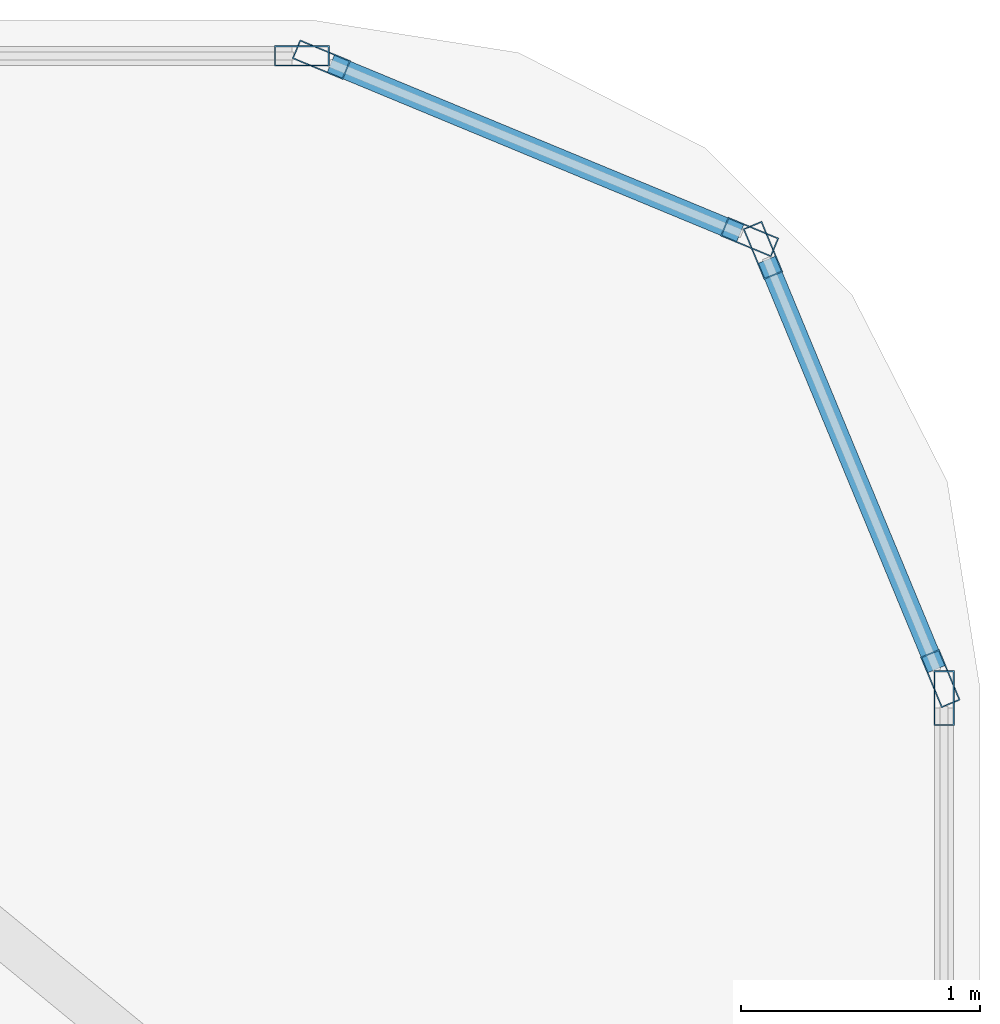
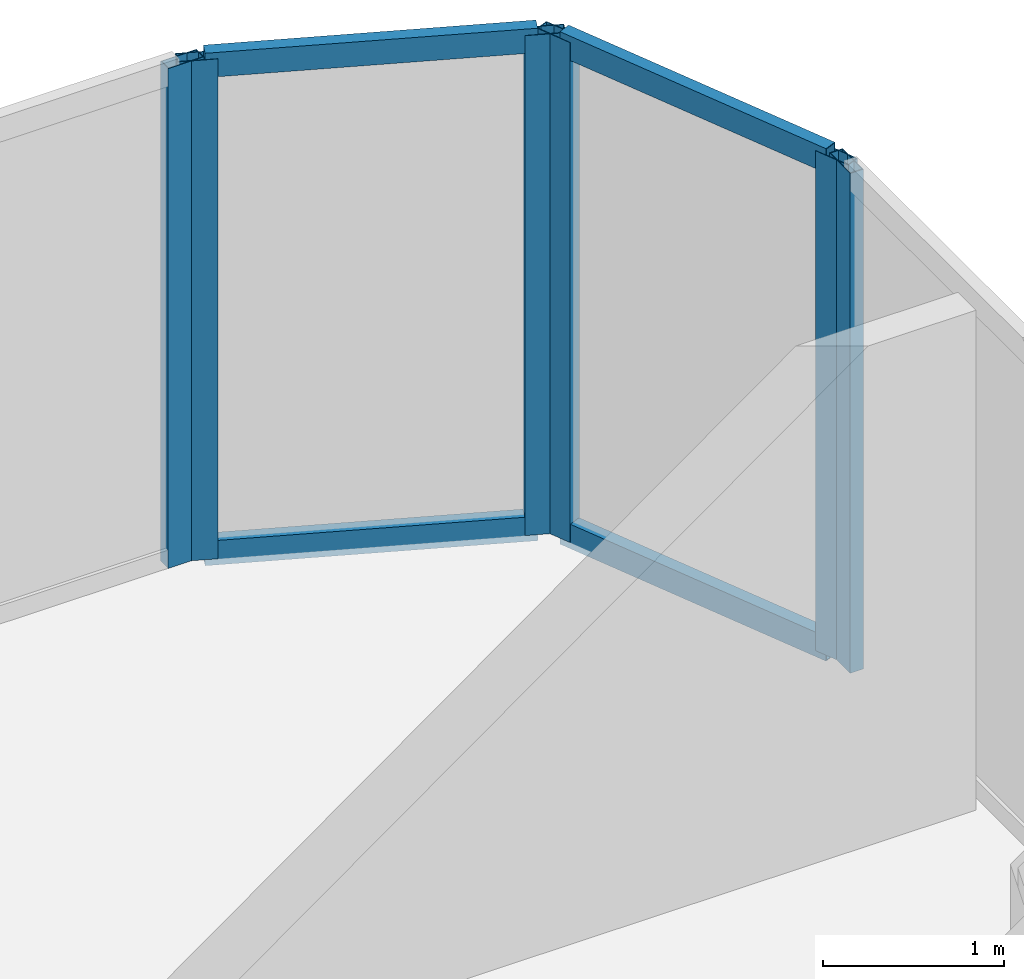
# One storey, part 8 of 11: 10 members, 4 elements without a shape of their own.
"""IFC4 building model written with IfcOpenShell, lengths in metres."""

from ifc_helpers import new_model, si_unit, direction, frame, origin, origin_2d, place, context, subcontext, project, spatial, hollow_rectangle, extrude, source, transform, mapped, material, layer, layer_set, material_profile, profile_set, type_object, element, aggregate, save


model = new_model("IFC4")

# Units and contexts
model_context = context("Model", 3, precision=1e-05, world=origin(), true_north=direction((0.0, 1.0)))
body_context = subcontext(model_context, "Body", "Model", "MODEL_VIEW")
ifc_project = project(units=[si_unit("LENGTHUNIT", "METRE"), si_unit("AREAUNIT", "SQUARE_METRE"), si_unit("VOLUMEUNIT", "CUBIC_METRE"), si_unit("PLANEANGLEUNIT", "RADIAN"), si_unit("MASSUNIT", "GRAM", prefix="KILO")], contexts=[model_context])

# Site, building, storey
site_placement = place(None, origin())
site = spatial("IfcSite", under=ifc_project, at=site_placement, CompositionType="ELEMENT")
building_placement = place(site_placement, origin())
building = spatial("IfcBuilding", under=site, at=building_placement, Name="Kolveth Station Tower", CompositionType="ELEMENT")
storey_placement = place(building_placement, frame((0.0, 0.0, 278.5)))
storey = spatial("IfcBuildingStorey", under=building, at=storey_placement, Name="L80", CompositionType="ELEMENT", Elevation=278.5)

# Curtain wall, member
ifc_material_1 = material(Name="Black anodized aluminium 6063-T6 and dark crown glass", Category="aluminium")
ifc_layer = layer(ifc_material_1, 0.169921875)
ifc_layer_set = layer_set([ifc_layer], Name="Black anodized aluminium 6063-T6 and dark crown glass")
curtain_wall_type = type_object("IfcCurtainWallType", Name="CurtainWall_CW-CR", PredefinedType="NOTDEFINED", material=ifc_layer_set)
curtain_wall_1_placement = place(storey_placement, origin())
curtain_wall_1 = element("IfcCurtainWall", 1, at=curtain_wall_1_placement, inside=storey, type_object=curtain_wall_type, Name="L80 Stepped Crown Curtain Wall 3", PredefinedType="NOTDEFINED")
ifc_material_2 = material(Name="Black anodized aluminium 6063-T6", Category="aluminium")
ifc_material_profile_1 = material_profile(ifc_material_2, hollow_rectangle(XDim=0.0849609375, YDim=0.22998046875, WallThickness=0.0048828125, at=origin_2d()), Name="ALU-85x230x5")
ifc_profile_set_1 = profile_set([ifc_material_profile_1], Name="Black anodized aluminium 6063-T6")
member_type_1 = type_object("IfcMemberType", Name="Mullion_ML-CR", PredefinedType="MULLION", material=ifc_profile_set_1)
shared_shape_1 = source(origin(), body_context, "Body", "SweptSolid", [
    extrude(hollow_rectangle(XDim=0.0849609375, YDim=0.22998046875, WallThickness=0.0048828125, at=origin_2d()), origin(), (0.0, 0.0, 1.0), 3.3798828125),
])
member_1_placement = place(storey_placement, frame((41.64990234375, 32.45751953125, 0.0), z_axis=(0.0, 0.0, 1.0), x_axis=(-1.0, 0.0, 0.0)))
member_1 = element("IfcMember", 2, at=member_1_placement, type_object=member_type_1, Name="CW-CR mullion 2", PredefinedType="MULLION", context=body_context, shape_type="MappedRepresentation", body=[
    mapped(shared_shape_1, transform((0.0, 0.0, 0.0), x_axis=(1.0, 0.0, 0.0), y_axis=(0.0, 1.0, 0.0), z_axis=(0.0, 0.0, 1.0), scale=1.0)),
])
aggregate(curtain_wall_1, [member_1])

# Curtain wall, members
curtain_wall_2_placement = place(storey_placement, origin())
curtain_wall_2 = element("IfcCurtainWall", 3, at=curtain_wall_2_placement, inside=storey, type_object=curtain_wall_type, Name="L80 Stepped Crown Curtain Wall 4", PredefinedType="NOTDEFINED")
member_2_placement = place(storey_placement, frame((41.6337890625, 32.539306640625, 0.0), z_axis=(0.0, 0.0, 1.0), x_axis=(-0.92387140439, -0.382703054797, 0.0)))
member_2 = element("IfcMember", 4, at=member_2_placement, type_object=member_type_1, Name="CW-CR mullion 1", PredefinedType="MULLION", context=body_context, shape_type="MappedRepresentation", body=[
    mapped(shared_shape_1, transform((0.0, 0.0, 0.0), x_axis=(1.0, 0.0, 0.0), y_axis=(0.0, 1.0, 0.0), z_axis=(0.0, 0.0, 1.0), scale=1.0)),
])
member_3_placement = place(storey_placement, frame((40.89013671875, 34.33447265625, 0.0), z_axis=(0.0, 0.0, 1.0), x_axis=(-0.92387140439, -0.382703054797, 0.0)))
member_3 = element("IfcMember", 5, at=member_3_placement, type_object=member_type_1, Name="CW-CR mullion 2", PredefinedType="MULLION", context=body_context, shape_type="MappedRepresentation", body=[
    mapped(shared_shape_1, transform((0.0, 0.0, 0.0), x_axis=(1.0, 0.0, 0.0), y_axis=(0.0, 1.0, 0.0), z_axis=(0.0, 0.0, 1.0), scale=1.0)),
])

curtain_wall_3_placement = place(storey_placement, origin())
curtain_wall_3 = element("IfcCurtainWall", 6, at=curtain_wall_3_placement, inside=storey, type_object=curtain_wall_type, Name="L80 Stepped Crown Curtain Wall 5", PredefinedType="NOTDEFINED")
member_4_placement = place(storey_placement, frame((40.83447265625, 34.39013671875, 0.0), z_axis=(0.0, 0.0, 1.0), x_axis=(-0.382703054797, -0.92387140439, 0.0)))
member_4 = element("IfcMember", 7, at=member_4_placement, type_object=member_type_1, Name="CW-CR mullion 1", PredefinedType="MULLION", context=body_context, shape_type="MappedRepresentation", body=[
    mapped(shared_shape_1, transform((0.0, 0.0, 0.0), x_axis=(1.0, 0.0, 0.0), y_axis=(0.0, 1.0, 0.0), z_axis=(0.0, 0.0, 1.0), scale=1.0)),
])
member_5_placement = place(storey_placement, frame((39.039306640625, 35.1337890625, 0.0), z_axis=(0.0, 0.0, 1.0), x_axis=(-0.382703054797, -0.92387140439, 0.0)))
member_5 = element("IfcMember", 8, at=member_5_placement, type_object=member_type_1, Name="CW-CR mullion 2", PredefinedType="MULLION", context=body_context, shape_type="MappedRepresentation", body=[
    mapped(shared_shape_1, transform((0.0, 0.0, 0.0), x_axis=(1.0, 0.0, 0.0), y_axis=(0.0, 1.0, 0.0), z_axis=(0.0, 0.0, 1.0), scale=1.0)),
])

# Curtain wall, member
curtain_wall_4_placement = place(storey_placement, origin())
curtain_wall_4 = element("IfcCurtainWall", 9, at=curtain_wall_4_placement, inside=storey, type_object=curtain_wall_type, Name="L80 Stepped Crown Curtain Wall 6", PredefinedType="NOTDEFINED")
member_6_placement = place(storey_placement, frame((38.95751953125, 35.14990234375, 0.0), z_axis=(0.0, 0.0, 1.0), x_axis=(0.0, -1.0, 0.0)))
member_6 = element("IfcMember", 10, at=member_6_placement, type_object=member_type_1, Name="CW-CR mullion 1", PredefinedType="MULLION", context=body_context, shape_type="MappedRepresentation", body=[
    mapped(shared_shape_1, transform((0.0, 0.0, 0.0), x_axis=(1.0, 0.0, 0.0), y_axis=(0.0, 1.0, 0.0), z_axis=(0.0, 0.0, 1.0), scale=1.0)),
])
aggregate(curtain_wall_4, [member_6])

# Member
ifc_material_profile_2 = material_profile(ifc_material_2, hollow_rectangle(XDim=0.080078125, YDim=0.1650390625, WallThickness=0.0048828125, at=origin_2d()), Name="ALU-80x165x5")
ifc_profile_set_2 = profile_set([ifc_material_profile_2], Name="Black anodized aluminium 6063-T6")
member_type_2 = type_object("IfcMemberType", Name="Transom_TR-CR", PredefinedType="USERDEFINED", material=ifc_profile_set_2)
shared_shape_2 = source(origin(), body_context, "Body", "SweptSolid", [
    extrude(hollow_rectangle(XDim=0.080078125, YDim=0.1650390625, WallThickness=0.0048828125, at=origin_2d()), origin(), (0.0, 0.0, 1.0), 1.858154296875),
])
member_7_placement = place(storey_placement, frame((41.617431640625, 32.57861328125, 0.0400390625), z_axis=(-0.382757950997, 0.923848662362, 0.0), x_axis=(-0.923848662362, -0.382757950997, 0.0)))
member_7 = element("IfcMember", 11, at=member_7_placement, type_object=member_type_2, Name="CW-CR transom 1.1", ObjectType="TRANSOM", PredefinedType="USERDEFINED", context=body_context, shape_type="MappedRepresentation", body=[
    mapped(shared_shape_2, transform((0.0, 0.0, 0.0), x_axis=(1.0, 0.0, 0.0), y_axis=(0.0, 1.0, 0.0), z_axis=(0.0, 0.0, 1.0), scale=1.0)),
])

member_8_placement = place(storey_placement, frame((41.617431640625, 32.57861328125, 3.340087890625), z_axis=(-0.382757950997, 0.923848662362, 0.0), x_axis=(-0.923848662362, -0.382757950997, 0.0)))
member_8 = element("IfcMember", 12, at=member_8_placement, type_object=member_type_2, Name="CW-CR transom 1.2", ObjectType="TRANSOM", PredefinedType="USERDEFINED", context=body_context, shape_type="MappedRepresentation", body=[
    mapped(shared_shape_2, transform((0.0, 0.0, 0.0), x_axis=(1.0, 0.0, 0.0), y_axis=(0.0, 1.0, 0.0), z_axis=(0.0, 0.0, 1.0), scale=1.0)),
])

aggregate(curtain_wall_2, [member_2, member_3, member_7, member_8])

member_9_placement = place(storey_placement, frame((40.795166015625, 34.40625, 0.0400390625), z_axis=(-0.923848662362, 0.382757950997, 0.0), x_axis=(-0.382757950997, -0.923848662362, 0.0)))
member_9 = element("IfcMember", 13, at=member_9_placement, type_object=member_type_2, Name="CW-CR transom 1.1", ObjectType="TRANSOM", PredefinedType="USERDEFINED", context=body_context, shape_type="MappedRepresentation", body=[
    mapped(shared_shape_2, transform((0.0, 0.0, 0.0), x_axis=(1.0, 0.0, 0.0), y_axis=(0.0, 1.0, 0.0), z_axis=(0.0, 0.0, 1.0), scale=1.0)),
])

member_10_placement = place(storey_placement, frame((40.795166015625, 34.40625, 3.340087890625), z_axis=(-0.923848662362, 0.382757950997, 0.0), x_axis=(-0.382757950997, -0.923848662362, 0.0)))
member_10 = element("IfcMember", 14, at=member_10_placement, type_object=member_type_2, Name="CW-CR transom 1.2", ObjectType="TRANSOM", PredefinedType="USERDEFINED", context=body_context, shape_type="MappedRepresentation", body=[
    mapped(shared_shape_2, transform((0.0, 0.0, 0.0), x_axis=(1.0, 0.0, 0.0), y_axis=(0.0, 1.0, 0.0), z_axis=(0.0, 0.0, 1.0), scale=1.0)),
])

aggregate(curtain_wall_3, [member_4, member_5, member_9, member_10])

save(model, "model.ifc")
